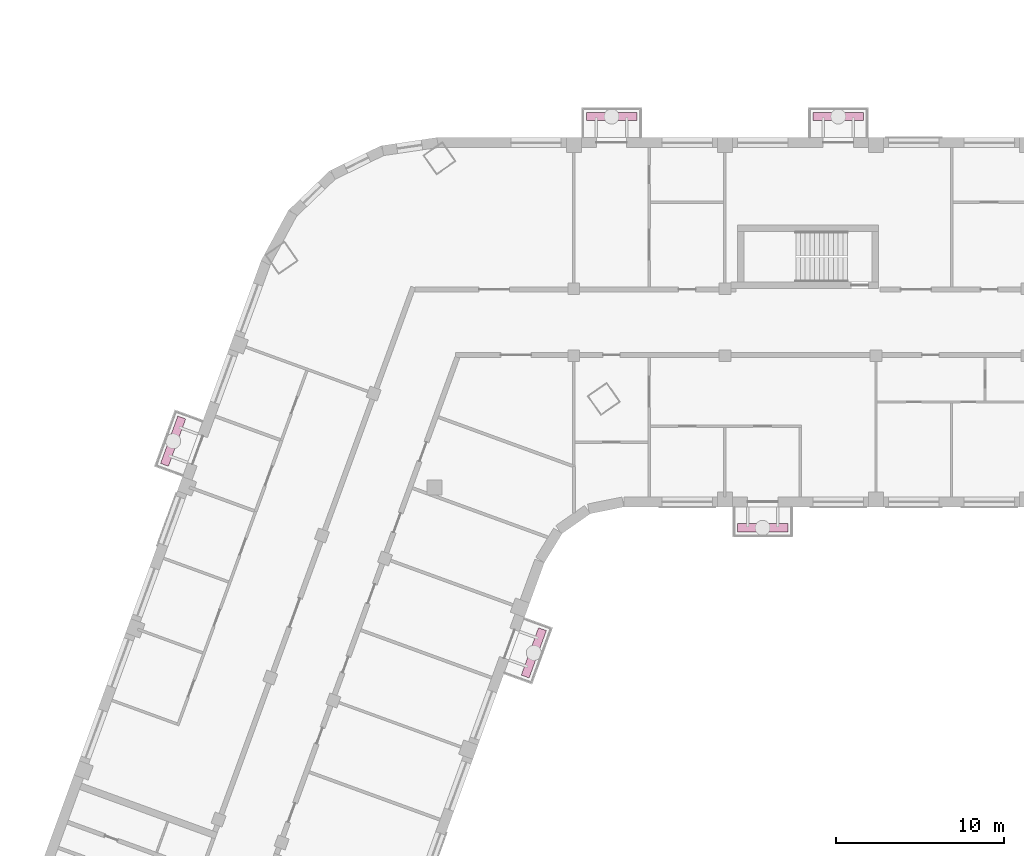
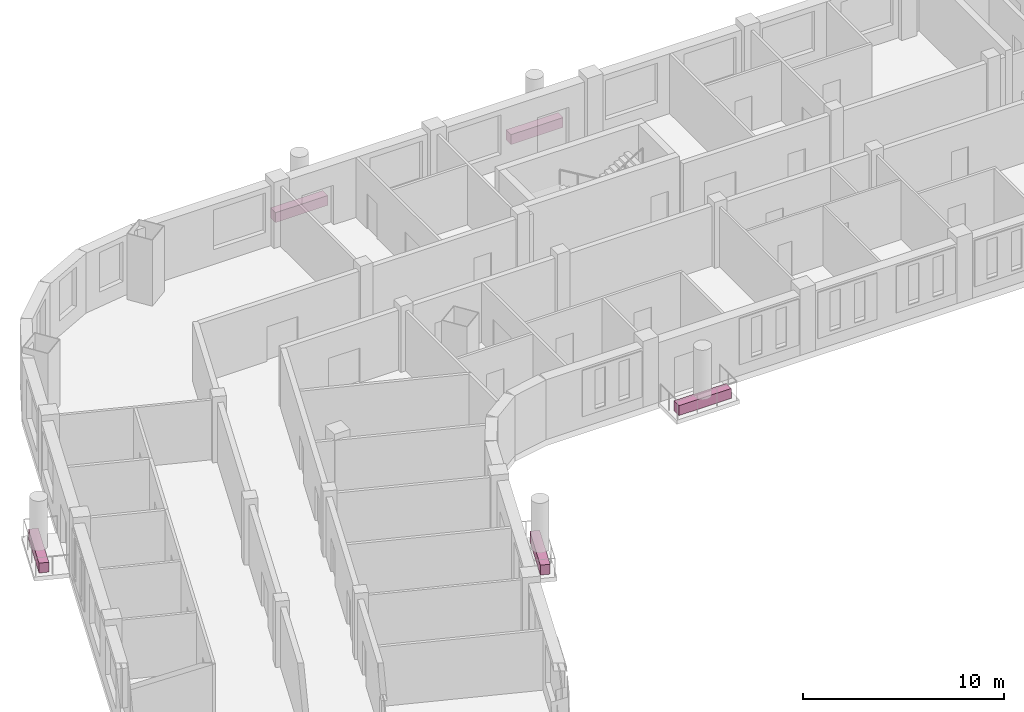
# One storey, part 15 of 16: 5 furniture elements.
"""IFC4 building model written with IfcOpenShell, lengths in metres."""

from ifc_helpers import new_model, si_unit, direction, frame, origin, origin_2d, place, context, subcontext, project, spatial, rectangle, extrude, element, save


model = new_model("IFC4")

# Units and contexts
model_context = context("Model", 3, precision=1e-05, world=origin(), true_north=direction((0.0, 1.0)))
body_context = subcontext(model_context, "Body", "Model", "MODEL_VIEW")
ifc_project = project(units=[si_unit("LENGTHUNIT", "METRE"), si_unit("AREAUNIT", "SQUARE_METRE"), si_unit("VOLUMEUNIT", "CUBIC_METRE"), si_unit("PLANEANGLEUNIT", "RADIAN"), si_unit("MASSUNIT", "GRAM", prefix="KILO")], contexts=[model_context])

# Site, building, storey
site_placement = place(None, origin())
site = spatial("IfcSite", under=ifc_project, at=site_placement, CompositionType="ELEMENT")
building_placement = place(site_placement, origin())
building = spatial("IfcBuilding", under=site, at=building_placement, Name="Skarvind Civic Tower", CompositionType="ELEMENT")
storey_placement = place(building_placement, frame((0.0, 0.0, 43.5)))
storey = spatial("IfcBuildingStorey", under=building, at=storey_placement, Name="L09", CompositionType="ELEMENT", Elevation=43.5)

# Furniture
for number, where, z_axis, x_axis, name in (
    (1, (51.867919921875, 108.305419921875, 0.0), (0.0, 0.0, 1.0), (-0.342020143326, -0.939692620786, 0.0), "TREE BALCONY PLANTER"),
    (2, (65.5, 115.75, 0.0), (0.0, 0.0, 1.0), (-1.0, 0.0, 0.0), "TREE BALCONY PLANTER"),
    (3, (56.5, 140.25, 0.0), (0.0, 0.0, 1.0), (1.0, 0.0, 0.0), "TREE BALCONY PLANTER"),
    (4, (70.0, 140.25, 0.0), (0.0, 0.0, 1.0), (1.0, 0.0, 0.0), "TREE BALCONY PLANTER"),
    (5, (30.384521484375, 120.91357421875, 0.0), (0.0, 0.0, 1.0), (0.342020143326, 0.939692620786, 0.0), "TREE BALCONY PLANTER"),
):
    element("IfcFurniture", number, at=place(storey_placement, frame(where, z_axis=z_axis, x_axis=x_axis)), inside=storey, Name=name, ObjectType="PLANTER", PredefinedType="USERDEFINED", context=body_context, shape_type="SweptSolid", body=[
        extrude(rectangle(XDim=3.0, YDim=0.5, at=origin_2d()), origin(), (0.0, 0.0, 1.0), 0.60009765625),
    ])

save(model, "model.ifc")
